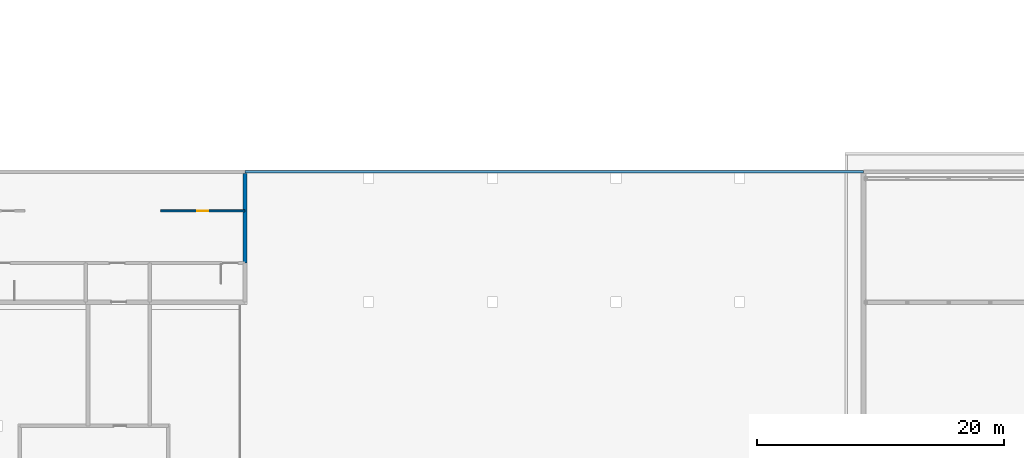
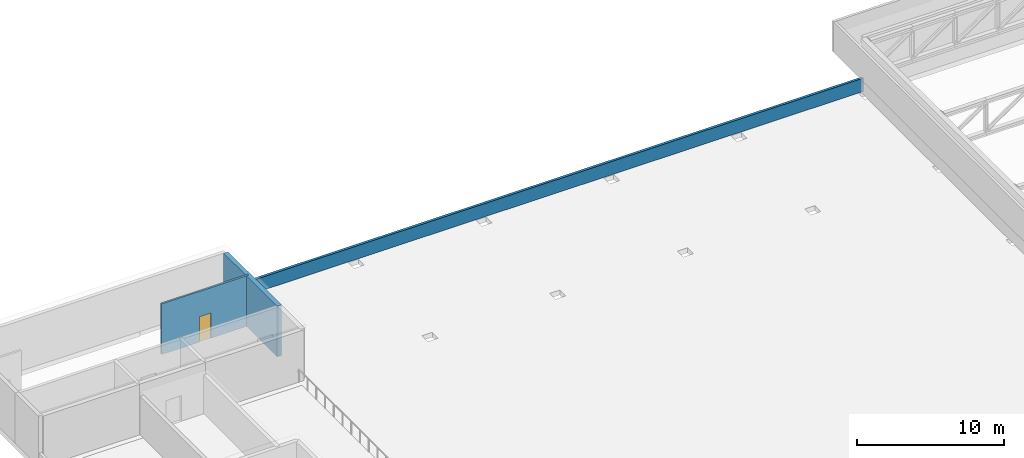
# One storey, part 25 of 31: 3 walls, 1 door, 1 opening.
"""IFC4 building model written with IfcOpenShell, lengths in metres."""

from ifc_helpers import new_model, si_unit, direction, frame, frame_2d, origin, place, context, subcontext, project, spatial, rectangle, extrude, material, layer, layer_set, type_object, element, fill, save


model = new_model("IFC4")

# Units and contexts
model_context = context("Model", 3, precision=1e-05, world=origin(), true_north=direction((0.0, 1.0)))
body_context = subcontext(model_context, "Body", "Model", "MODEL_VIEW")
ifc_project = project(units=[si_unit("LENGTHUNIT", "METRE"), si_unit("AREAUNIT", "SQUARE_METRE"), si_unit("VOLUMEUNIT", "CUBIC_METRE"), si_unit("PLANEANGLEUNIT", "RADIAN"), si_unit("MASSUNIT", "GRAM", prefix="KILO")], contexts=[model_context])

# Site, building, storey
site_placement = place(None, origin())
site = spatial("IfcSite", under=ifc_project, at=site_placement, CompositionType="ELEMENT")
building_placement = place(site_placement, origin())
building = spatial("IfcBuilding", under=site, at=building_placement, Name="Jabali Bay Hotel Tower and Convention Centre", CompositionType="ELEMENT")
storey_placement = place(building_placement, frame((0.0, 0.0, 25.39990234375)))
storey = spatial("IfcBuildingStorey", under=building, at=storey_placement, Name="L04", CompositionType="ELEMENT", Elevation=25.39990234375)

# Walls
ifc_material_1 = material(Name="Concrete C60", Category="concrete")
ifc_layer_1 = layer(ifc_material_1, 0.35009765625)
ifc_layer_set_1 = layer_set([ifc_layer_1], Name="Concrete C60")
wall_type_1 = type_object("IfcWallType", Name="CC Core Wall 350", PredefinedType="SHEAR", material=ifc_layer_set_1)
wall_1_placement = place(storey_placement, frame((170.699951171875, 103.14990234375, 0.0), z_axis=(0.0, 0.0, 1.0), x_axis=(0.0, 1.0, 0.0)))
element("IfcWall", 1, at=wall_1_placement, inside=storey, type_object=wall_type_1, Name="CC west core wall", PredefinedType="SHEAR", context=body_context, shape_type="SweptSolid", body=[
    extrude(rectangle(XDim=7.25, YDim=0.35009765625, at=frame_2d((3.625, 0.0))), origin(), (0.0, 0.0, 1.0), 4.190185546875),
])
ifc_material_2 = material(Name="Concrete C40", Category="concrete")
ifc_layer_2 = layer(ifc_material_2, 0.199951171875)
ifc_layer_set_2 = layer_set([ifc_layer_2], Name="Concrete C40")
wall_type_2 = type_object("IfcWallType", Name="CC Parapet 200", PredefinedType="PARAPET", material=ifc_layer_set_2)
wall_2_placement = place(storey_placement, frame((170.699951171875, 110.550048828125, 0.0), z_axis=(0.0, 0.0, 1.0), x_axis=(1.0, 0.0, 0.0)))
element("IfcWall", 2, at=wall_2_placement, inside=storey, type_object=wall_type_2, Name="CC roof parapet", PredefinedType="PARAPET", context=body_context, shape_type="SweptSolid", body=[
    extrude(rectangle(XDim=50.0, YDim=0.199951171875, at=frame_2d((25.0, 0.0))), origin(), (0.0, 0.0, 1.0), 1.10009765625),
])

# Wall, opening, door
ifc_material_3 = material(Name="Blockwork M10", Category="masonry")
ifc_layer_3 = layer(ifc_material_3, 0.14990234375)
ifc_layer_set_3 = layer_set([ifc_layer_3], Name="Blockwork M10")
wall_type_3 = type_object("IfcWallType", Name="CC Partition 150", PredefinedType="PARTITIONING", material=ifc_layer_set_3)
wall_3_placement = place(storey_placement, frame((163.875, 107.375, 0.0), z_axis=(0.0, 0.0, 1.0), x_axis=(1.0, 0.0, 0.0)))
wall_3 = element("IfcWall", 3, at=wall_3_placement, inside=storey, type_object=wall_type_3, Name="CC wall 170", PredefinedType="PARTITIONING", context=body_context, shape_type="SweptSolid", body=[
    extrude(rectangle(XDim=6.824951171875, YDim=0.14990234375, at=frame_2d((3.41259765625, 0.0))), origin(), (0.0, 0.0, 1.0), 4.190185546875),
])
opening_placement = place(wall_3_placement, frame((2.949951171875, 0.0, 0.0)))
opening = element("IfcOpeningElement", 4, at=opening_placement, cuts=wall_3, Name="Opening CC-D172", PredefinedType="OPENING", context=body_context, shape_type="SweptSolid", body=[
    extrude(rectangle(XDim=0.89990234375, YDim=2.10009765625, at=frame_2d((0.449951171875, 1.050048828125))), frame((0.0, 0.08544921875, 0.0), z_axis=(0.0, -1.0, 0.0), x_axis=(1.0, 0.0, 0.0)), (0.0, 0.0, 1.0), 0.1708984375),
])
ifc_material_4 = material(Name="Timber and steel door set", Category="steel")
door_type = type_object("IfcDoorType", Name="CC Riser Door 900x2100", OperationType="NOTDEFINED", PredefinedType="DOOR", material=ifc_material_4)
door_placement = place(opening_placement, origin())
door = element("IfcDoor", 5, at=door_placement, inside=storey, type_object=door_type, Name="CC door CC-D172", OperationType="SINGLE_SWING_RIGHT", OverallHeight=2.10009765625, OverallWidth=0.89990234375, PredefinedType="DOOR", context=body_context, shape_type="SweptSolid", body=[
    extrude(rectangle(XDim=0.89990234375, YDim=2.10009765625, at=frame_2d((0.449951171875, 1.050048828125))), frame((0.0, 0.02490234375, 0.0), z_axis=(0.0, -1.0, 0.0), x_axis=(1.0, 0.0, 0.0)), (0.0, 0.0, 1.0), 0.050048828125),
])
fill(opening, door)

save(model, "model.ifc")
